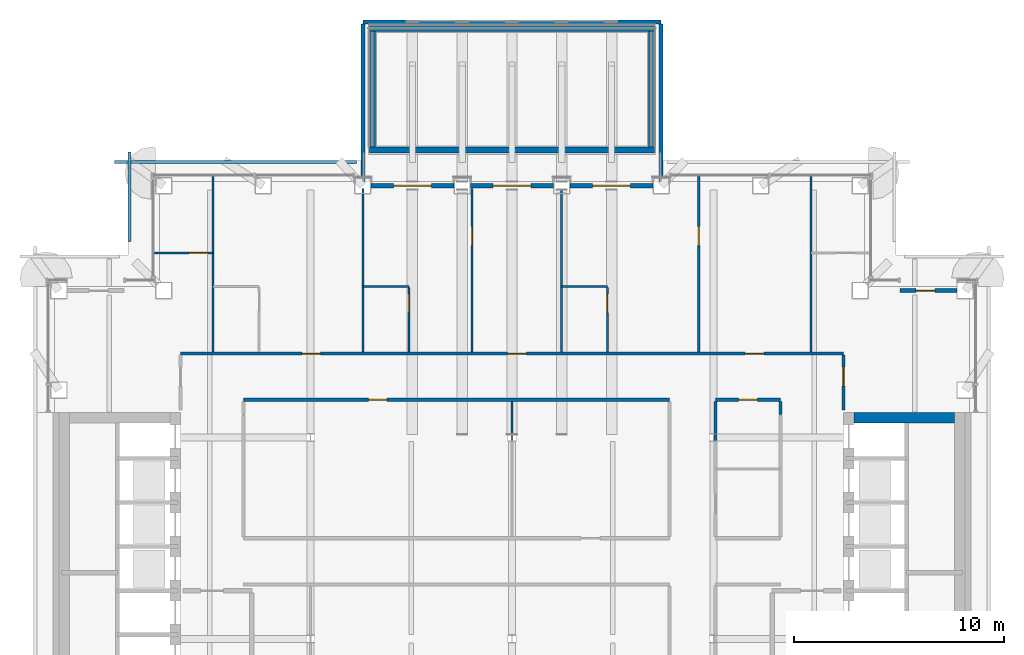
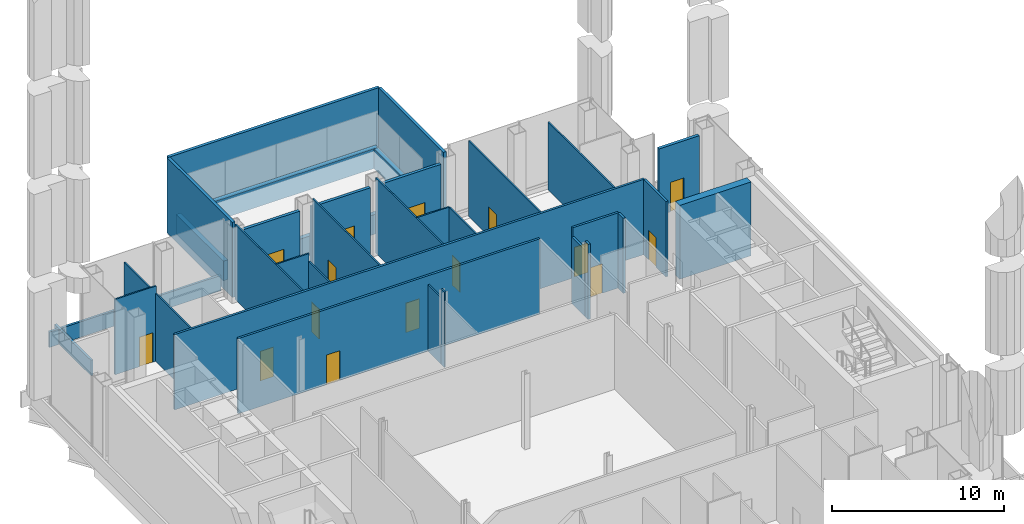
# One storey, part 13 of 22: 34 walls, 15 doors, 15 openings.
"""IFC4 building model written with IfcOpenShell, lengths in metres."""

import ifcopenshell
import ifcopenshell.guid

model = None  # the IFC model being written
_history = None  # IfcOwnerHistory: only IFC2X3 demands one
_inside = {}  # id of a spatial element -> (the spatial element, [elements in it])
_under = {}  # id of a project, library or spatial element -> (it, [spatial elements below it])
_declared = {}  # id of a project -> (the project, [libraries it declares])
_typed = {}  # id of a type object -> (the type object, [elements of that type])
_made_of = {}  # id of a material, layer set ... -> (it, [elements and type objects made of it])


def new_model(schema):
    """Start an empty IFC model of exactly this schema.

    Asked for "IFC4X3", IfcOpenShell would pick the latest addendum, in which some entities
    have other attributes; the version numbers below select the first issue.
    IFC2X3 requires an IfcOwnerHistory on every rooted entity: one is made here for all.
    """
    global model, _history
    if schema == "IFC4X3":
        model = ifcopenshell.file(schema_version=(4, 3, 0, 0))
    else:
        model = ifcopenshell.file(schema=schema)
    _inside.clear()
    _under.clear()
    _declared.clear()
    _typed.clear()
    _made_of.clear()
    _history = None
    if model.schema == "IFC2X3":
        org = make("IfcOrganization", Name="unknown")
        user = make(
            "IfcPersonAndOrganization",
            ThePerson=make("IfcPerson", FamilyName="unknown"),
            TheOrganization=org,
        )
        app = make(
            "IfcApplication",
            ApplicationDeveloper=org,
            Version="unknown",
            ApplicationFullName="unknown",
            ApplicationIdentifier="unknown",
        )
        _history = make(
            "IfcOwnerHistory",
            OwningUser=user,
            OwningApplication=app,
            ChangeAction="ADDED",
            CreationDate=0,
        )
    return model


def make(cls, **values):
    """One entity of the class cls with the attributes given. An attribute that is None is left unset."""
    return model.create_entity(
        cls, **{name: value for name, value in values.items() if value is not None}
    )


def rooted(cls, **values):
    """An entity with a GlobalId (a new one), such as an element, a storey or a relation."""
    return make(cls, GlobalId=ifcopenshell.guid.new(), OwnerHistory=_history, **values)


def si_unit(unit_type, name, prefix=None):
    """IfcSIUnit, for example si_unit("LENGTHUNIT", "METRE", prefix="MILLI")."""
    return make("IfcSIUnit", UnitType=unit_type, Prefix=prefix, Name=name)


def assignment(units):
    """IfcUnitAssignment: the units of a project."""
    return None if units is None else make("IfcUnitAssignment", Units=units)


def point(xyz):
    """IfcCartesianPoint."""
    return None if xyz is None else make("IfcCartesianPoint", Coordinates=xyz)


def direction(xyz):
    """IfcDirection."""
    return None if xyz is None else make("IfcDirection", DirectionRatios=xyz)


def frame(location, z_axis=None, x_axis=None):
    """IfcAxis2Placement3D, a coordinate frame: its origin and axes. An axis left out is left unset."""
    return make(
        "IfcAxis2Placement3D",
        Location=point(location),
        Axis=direction(z_axis),
        RefDirection=direction(x_axis),
    )


def frame_2d(location, x_axis=None):
    """IfcAxis2Placement2D, a coordinate frame in the plane: its origin and x axis."""
    return make(
        "IfcAxis2Placement2D", Location=point(location), RefDirection=direction(x_axis)
    )


def origin():
    """The frame at (0, 0, 0) with its axes left unset."""
    return frame((0.0, 0.0, 0.0))


def place(relative_to, where):
    """IfcLocalPlacement: puts the frame where relative to a parent placement (None: the world)."""
    return make(
        "IfcLocalPlacement", PlacementRelTo=relative_to, RelativePlacement=where
    )


def context(
    kind, dimensions, precision=None, world=None, true_north=None, identifier=None
):
    """IfcGeometricRepresentationContext, for example the 3D "Model" context."""
    return make(
        "IfcGeometricRepresentationContext",
        ContextIdentifier=identifier,
        ContextType=kind,
        CoordinateSpaceDimension=dimensions,
        Precision=precision,
        WorldCoordinateSystem=world,
        TrueNorth=true_north,
    )


def subcontext(parent, identifier, kind, view, scale=None):
    """IfcGeometricRepresentationSubContext, for example "Body" below "Model"."""
    return make(
        "IfcGeometricRepresentationSubContext",
        ContextIdentifier=identifier,
        ContextType=kind,
        ParentContext=parent,
        TargetScale=scale,
        TargetView=view,
    )


def project(units=None, contexts=None):
    """IfcProject with its units and contexts."""
    return rooted(
        "IfcProject",
        Name="project",
        RepresentationContexts=contexts,
        UnitsInContext=assignment(units),
    )


def spatial(cls, under=None, at=None, **own):
    """A site, building, storey or space (cls), placed at a placement, below another one or the project."""
    s = rooted(cls, ObjectPlacement=at, **own)
    if under is not None:
        _under.setdefault(under.id(), (under, []))[1].append(s)
    return s


def profile(cls, at=None, kind="AREA", **sizes):
    """A parametric profile (cls). Its sizes go by their IFC names, for example OverallWidth=200.0."""
    return make(cls, ProfileType=kind, Position=at, **sizes)


def rectangle(**sizes):
    """IfcRectangleProfileDef."""
    return profile("IfcRectangleProfileDef", **sizes)


def extrude(swept, where, along, depth):
    """IfcExtrudedAreaSolid: the profile swept, set in the frame where, extruded along a direction by depth."""
    return make(
        "IfcExtrudedAreaSolid",
        SweptArea=swept,
        Position=where,
        ExtrudedDirection=direction(along),
        Depth=depth,
    )


def shape(context_of_items, identifier, shape_type, items):
    """IfcShapeRepresentation: the items that make up one representation, for example the "Body"."""
    return make(
        "IfcShapeRepresentation",
        ContextOfItems=context_of_items,
        RepresentationIdentifier=identifier,
        RepresentationType=shape_type,
        Items=items,
    )


def material(Name=None, Category=None):
    """IfcMaterial."""
    return make("IfcMaterial", Name=Name, Category=Category)


def layer(
    of_material, thickness, ventilated=None, Name=None, Category=None, Priority=None
):
    """IfcMaterialLayer: one layer of a wall or slab, of a material (None: an air gap)."""
    return make(
        "IfcMaterialLayer",
        Material=of_material,
        LayerThickness=thickness,
        IsVentilated=ventilated,
        Name=Name,
        Category=Category,
        Priority=Priority,
    )


def layer_set(layers, Name=None):
    """IfcMaterialLayerSet."""
    return make("IfcMaterialLayerSet", MaterialLayers=layers, LayerSetName=Name)


def made_of(thing, what):
    """Note that an element or type object is made of a material, layer set ...; save() writes the relation."""
    if what is not None:
        _made_of.setdefault(what.id(), (what, []))[1].append(thing)
    return thing


def type_object(cls, material=None, **own):
    """A type object (cls), such as IfcWallType, which elements share."""
    return made_of(rooted(cls, **own), material)


def element(
    cls,
    number,
    at=None,
    inside=None,
    cuts=None,
    type_object=None,
    material=None,
    context=None,
    identifier="Body",
    shape_type=None,
    held_by="IfcProductDefinitionShape",
    body=None,
    shapes=None,
    **own,
):
    """One element of the class cls, such as IfcWall. Its Tag is "e" and its number.

    at: its placement. inside: the storey or other place that contains it. cuts: it is an
    opening in that element (IfcRelVoidsElement). A single representation is given by context,
    identifier, shape_type and body (its items); several are given by shapes. held_by: the class
    of the entity that holds the representations. save() writes the other relations.
    """
    e = rooted(cls, Tag="e%d" % number, ObjectPlacement=at, **own)
    if body is not None:
        shapes = [shape(context, identifier, shape_type, body)]
    if shapes is not None:
        e.Representation = make(held_by, Representations=shapes)
    if inside is not None:
        _inside.setdefault(inside.id(), (inside, []))[1].append(e)
    if cuts is not None:
        rooted(
            "IfcRelVoidsElement", RelatingBuildingElement=cuts, RelatedOpeningElement=e
        )
    if type_object is not None:
        _typed.setdefault(type_object.id(), (type_object, []))[1].append(e)
    return made_of(e, material)


def fill(opening, filler):
    """IfcRelFillsElement: the door or window that sits in an opening."""
    return rooted(
        "IfcRelFillsElement",
        RelatingOpeningElement=opening,
        RelatedBuildingElement=filler,
    )


def aggregate(whole, parts):
    """IfcRelAggregates: a whole, such as a stair, and the parts it consists of."""
    return rooted("IfcRelAggregates", RelatingObject=whole, RelatedObjects=parts)


def save(model, path):
    """Write the relations noted so far, then the file.

    IfcRelAggregates (storeys below a building ...), IfcRelContainedInSpatialStructure (elements
    in a storey), IfcRelDefinesByType, IfcRelAssociatesMaterial and IfcRelDeclares: one each for
    every whole, place, type object, material and project.
    """
    for whole, parts in _under.values():
        aggregate(whole, parts)
    for where, things in _inside.values():
        rooted(
            "IfcRelContainedInSpatialStructure",
            RelatedElements=things,
            RelatingStructure=where,
        )
    for kind, things in _typed.values():
        rooted("IfcRelDefinesByType", RelatedObjects=things, RelatingType=kind)
    for what, things in _made_of.values():
        rooted("IfcRelAssociatesMaterial", RelatedObjects=things, RelatingMaterial=what)
    for by, libraries in _declared.values():
        rooted("IfcRelDeclares", RelatingContext=by, RelatedDefinitions=libraries)
    model.write(path)


model = new_model("IFC4")

# Units and contexts
model_context = context("Model", 3, precision=1e-05, world=origin(), true_north=direction((0.0, 1.0)))
body_context = subcontext(model_context, "Body", "Model", "MODEL_VIEW")
ifc_project = project(units=[si_unit("LENGTHUNIT", "METRE"), si_unit("AREAUNIT", "SQUARE_METRE"), si_unit("VOLUMEUNIT", "CUBIC_METRE"), si_unit("PLANEANGLEUNIT", "RADIAN"), si_unit("MASSUNIT", "GRAM", prefix="KILO")], contexts=[model_context])

# Site, building, storey
site_placement = place(None, origin())
site = spatial("IfcSite", under=ifc_project, at=site_placement, CompositionType="ELEMENT")
building_placement = place(site_placement, origin())
building = spatial("IfcBuilding", under=site, at=building_placement, Name="Cobrizo Arcos Hotel Tower", CompositionType="ELEMENT")
storey_placement = place(building_placement, frame((0.0, 0.0, 142.5)))
storey = spatial("IfcBuildingStorey", under=building, at=storey_placement, Name="L36", CompositionType="ELEMENT", Elevation=142.5)

# Wall, opening, door
ifc_material_1 = material(Name="Gypsum board partition")
ifc_layer_1 = layer(ifc_material_1, 0.14990234375)
ifc_layer_set_1 = layer_set([ifc_layer_1], Name="Corridor wall EI 60 150")
wall_type_1 = type_object("IfcWallType", Name="Corridor wall EI 60 150", PredefinedType="PARTITIONING", material=ifc_layer_set_1)
wall_1_placement = place(storey_placement, frame((-12.800048828125, 11.39990234375, 0.0), z_axis=(0.0, 0.0, 1.0), x_axis=(1.0, 0.0, 0.0)))
wall_1 = element("IfcWall", 1, at=wall_1_placement, inside=storey, type_object=wall_type_1, Name="Partition 034", PredefinedType="PARTITIONING", context=body_context, shape_type="SweptSolid", body=[
    extrude(rectangle(XDim=20.300048828125, YDim=0.14990234375, at=frame_2d((10.14990234375, 0.0))), origin(), (0.0, 0.0, 1.0), 5.35009765625),
])
opening_1_placement = place(wall_1_placement, frame((5.949951171875, 0.0, 0.0)))
opening_1 = element("IfcOpeningElement", 2, at=opening_1_placement, cuts=wall_1, Name="Opening RD-19", PredefinedType="OPENING", context=body_context, shape_type="SweptSolid", body=[
    extrude(rectangle(XDim=0.89990234375, YDim=2.10009765625, at=frame_2d((0.449951171875, 1.050048828125))), frame((0.0, 0.0869140625, 0.0), z_axis=(0.0, -1.0, 0.0), x_axis=(1.0, 0.0, 0.0)), (0.0, 0.0, 1.0), 0.173828125),
])
ifc_material_2 = material(Name="Timber door leaf", Category="wood")
door_type_1 = type_object("IfcDoorType", Name="Room door FD30 900x2100", OperationType="SINGLE_SWING_LEFT", PredefinedType="DOOR", material=ifc_material_2)
door_1_placement = place(opening_1_placement, origin())
door_1 = element("IfcDoor", 3, at=door_1_placement, inside=storey, type_object=door_type_1, Name="Door RD-19", OperationType="SINGLE_SWING_LEFT", OverallHeight=2.10009765625, OverallWidth=0.89990234375, PredefinedType="DOOR", context=body_context, shape_type="SweptSolid", body=[
    extrude(rectangle(XDim=0.89990234375, YDim=2.10009765625, at=frame_2d((0.449951171875, 1.050048828125))), frame((0.0, 0.02490234375, 0.0), z_axis=(0.0, -1.0, 0.0), x_axis=(1.0, 0.0, 0.0)), (0.0, 0.0, 1.0), 0.050048828125),
])
fill(opening_1, door_1)

wall_2_placement = place(storey_placement, frame((9.699951171875, 11.39990234375, 0.0), z_axis=(0.0, 0.0, 1.0), x_axis=(1.0, 0.0, 0.0)))
wall_2 = element("IfcWall", 4, at=wall_2_placement, inside=storey, type_object=wall_type_1, Name="Partition 035", PredefinedType="PARTITIONING", context=body_context, shape_type="SweptSolid", body=[
    extrude(rectangle(XDim=3.10009765625, YDim=0.14990234375, at=frame_2d((1.550048828125, 0.0))), origin(), (0.0, 0.0, 1.0), 5.35009765625),
])
opening_2_placement = place(wall_2_placement, frame((1.10009765625, 0.0, 0.0)))
opening_2 = element("IfcOpeningElement", 5, at=opening_2_placement, cuts=wall_2, Name="Opening ED-13", PredefinedType="OPENING", context=body_context, shape_type="SweptSolid", body=[
    extrude(rectangle(XDim=0.89990234375, YDim=2.10009765625, at=frame_2d((0.449951171875, 1.050048828125))), frame((0.0, 0.0869140625, 0.0), z_axis=(0.0, -1.0, 0.0), x_axis=(1.0, 0.0, 0.0)), (0.0, 0.0, 1.0), 0.173828125),
])
door_type_2 = type_object("IfcDoorType", Name="En-suite door 900x2100", OperationType="SINGLE_SWING_LEFT", PredefinedType="DOOR", material=ifc_material_2)
door_2_placement = place(opening_2_placement, origin())
door_2 = element("IfcDoor", 6, at=door_2_placement, inside=storey, type_object=door_type_2, Name="Door ED-13", OperationType="SINGLE_SWING_RIGHT", OverallHeight=2.10009765625, OverallWidth=0.89990234375, PredefinedType="DOOR", context=body_context, shape_type="SweptSolid", body=[
    extrude(rectangle(XDim=0.89990234375, YDim=2.10009765625, at=frame_2d((0.449951171875, 1.050048828125))), frame((0.0, 0.02490234375, 0.0), z_axis=(0.0, -1.0, 0.0), x_axis=(1.0, 0.0, 0.0)), (0.0, 0.0, 1.0), 0.050048828125),
])
fill(opening_2, door_2)

# Wall, openings, doors
wall_3_placement = place(storey_placement, frame((-15.800048828125, 13.60009765625, 0.0), z_axis=(0.0, 0.0, 1.0), x_axis=(1.0, 0.0, 0.0)))
wall_3 = element("IfcWall", 7, at=wall_3_placement, inside=storey, type_object=wall_type_1, Name="Partition 036", PredefinedType="PARTITIONING", context=body_context, shape_type="SweptSolid", body=[
    extrude(rectangle(XDim=31.60009765625, YDim=0.14990234375, at=frame_2d((15.800048828125, 0.0))), origin(), (0.0, 0.0, 1.0), 5.35009765625),
])
opening_3_placement = place(wall_3_placement, frame((5.779052734375, 0.0, 0.0)))
opening_3 = element("IfcOpeningElement", 8, at=opening_3_placement, cuts=wall_3, Name="Opening RD-01", PredefinedType="OPENING", context=body_context, shape_type="SweptSolid", body=[
    extrude(rectangle(XDim=0.89990234375, YDim=2.10009765625, at=frame_2d((0.449951171875, 1.050048828125))), frame((0.0, 0.0869140625, 0.0), z_axis=(0.0, -1.0, 0.0), x_axis=(1.0, 0.0, 0.0)), (0.0, 0.0, 1.0), 0.173828125),
])
opening_4_placement = place(wall_3_placement, frame((15.5869140625, 0.0, 0.0)))
opening_4 = element("IfcOpeningElement", 9, at=opening_4_placement, cuts=wall_3, Name="Opening RD-02", PredefinedType="OPENING", context=body_context, shape_type="SweptSolid", body=[
    extrude(rectangle(XDim=0.89990234375, YDim=2.10009765625, at=frame_2d((0.449951171875, 1.050048828125))), frame((0.0, 0.0869140625, 0.0), z_axis=(0.0, -1.0, 0.0), x_axis=(1.0, 0.0, 0.0)), (0.0, 0.0, 1.0), 0.173828125),
])
opening_5_placement = place(wall_3_placement, frame((26.910888671875, 0.0, 0.0)))
opening_5 = element("IfcOpeningElement", 10, at=opening_5_placement, cuts=wall_3, Name="Opening RD-04", PredefinedType="OPENING", context=body_context, shape_type="SweptSolid", body=[
    extrude(rectangle(XDim=0.89990234375, YDim=2.10009765625, at=frame_2d((0.449951171875, 1.050048828125))), frame((0.0, 0.0869140625, 0.0), z_axis=(0.0, -1.0, 0.0), x_axis=(1.0, 0.0, 0.0)), (0.0, 0.0, 1.0), 0.173828125),
])
door_3_placement = place(opening_3_placement, origin())
door_3 = element("IfcDoor", 11, at=door_3_placement, inside=storey, type_object=door_type_1, Name="Door RD-01", OperationType="SINGLE_SWING_RIGHT", OverallHeight=2.10009765625, OverallWidth=0.89990234375, PredefinedType="DOOR", context=body_context, shape_type="SweptSolid", body=[
    extrude(rectangle(XDim=0.89990234375, YDim=2.10009765625, at=frame_2d((0.449951171875, 1.050048828125))), frame((0.0, 0.02490234375, 0.0), z_axis=(0.0, -1.0, 0.0), x_axis=(1.0, 0.0, 0.0)), (0.0, 0.0, 1.0), 0.050048828125),
])
fill(opening_3, door_3)
door_4_placement = place(opening_4_placement, origin())
door_4 = element("IfcDoor", 12, at=door_4_placement, inside=storey, type_object=door_type_1, Name="Door RD-02", OperationType="SINGLE_SWING_LEFT", OverallHeight=2.10009765625, OverallWidth=0.89990234375, PredefinedType="DOOR", context=body_context, shape_type="SweptSolid", body=[
    extrude(rectangle(XDim=0.89990234375, YDim=2.10009765625, at=frame_2d((0.449951171875, 1.050048828125))), frame((0.0, 0.02490234375, 0.0), z_axis=(0.0, -1.0, 0.0), x_axis=(1.0, 0.0, 0.0)), (0.0, 0.0, 1.0), 0.050048828125),
])
fill(opening_4, door_4)
door_5_placement = place(opening_5_placement, origin())
door_5 = element("IfcDoor", 13, at=door_5_placement, inside=storey, type_object=door_type_1, Name="Door RD-04", OperationType="SINGLE_SWING_LEFT", OverallHeight=2.10009765625, OverallWidth=0.89990234375, PredefinedType="DOOR", context=body_context, shape_type="SweptSolid", body=[
    extrude(rectangle(XDim=0.89990234375, YDim=2.10009765625, at=frame_2d((0.449951171875, 1.050048828125))), frame((0.0, 0.02490234375, 0.0), z_axis=(0.0, -1.0, 0.0), x_axis=(1.0, 0.0, 0.0)), (0.0, 0.0, 1.0), 0.050048828125),
])
fill(opening_5, door_5)

# Walls
wall_4_placement = place(storey_placement, frame((9.699951171875, 9.4130859375, 0.0), z_axis=(0.0, 0.0, 1.0), x_axis=(0.0, 1.0, 0.0)))
element("IfcWall", 14, at=wall_4_placement, inside=storey, type_object=wall_type_1, Name="Partition 088", PredefinedType="PARTITIONING", context=body_context, shape_type="SweptSolid", body=[
    extrude(rectangle(XDim=0.3740234375, YDim=0.14990234375, at=frame_2d((0.18701171875, 0.0))), origin(), (0.0, 0.0, 1.0), 5.35009765625),
])
wall_5_placement = place(storey_placement, frame((9.699951171875, 9.787109375, 0.0), z_axis=(0.0, 0.0, 1.0), x_axis=(0.0, 1.0, 0.0)))
element("IfcWall", 15, at=wall_5_placement, inside=storey, type_object=wall_type_1, Name="Partition 089", PredefinedType="PARTITIONING", context=body_context, shape_type="SweptSolid", body=[
    extrude(rectangle(XDim=1.537841796875, YDim=0.14990234375, at=frame_2d((0.76904296875, 0.0))), origin(), (0.0, 0.0, 1.0), 4.72802734375),
])
wall_6_placement = place(storey_placement, frame((12.800048828125, 10.699951171875, 0.0), z_axis=(0.0, 0.0, 1.0), x_axis=(0.0, 1.0, 0.0)))
element("IfcWall", 16, at=wall_6_placement, inside=storey, type_object=wall_type_1, Name="Partition 094", PredefinedType="PARTITIONING", context=body_context, shape_type="SweptSolid", body=[
    extrude(rectangle(XDim=0.625, YDim=0.14990234375, at=frame_2d((0.3125, 0.0))), origin(), (0.0, 0.0, 1.0), 5.35009765625),
])

# Wall, opening, door
wall_7_placement = place(storey_placement, frame((15.800048828125, 10.919921875, 0.0), z_axis=(0.0, 0.0, 1.0), x_axis=(0.0, 1.0, 0.0)))
wall_7 = element("IfcWall", 17, at=wall_7_placement, inside=storey, type_object=wall_type_1, Name="Partition 098", PredefinedType="PARTITIONING", context=body_context, shape_type="SweptSolid", body=[
    extrude(rectangle(XDim=2.60498046875, YDim=0.14990234375, at=frame_2d((1.302490234375, 0.0))), origin(), (0.0, 0.0, 1.0), 5.35009765625),
])
opening_6_placement = place(wall_7_placement, frame((1.1298828125, 0.0, 0.0)))
opening_6 = element("IfcOpeningElement", 18, at=opening_6_placement, cuts=wall_7, Name="Opening RD-15", PredefinedType="OPENING", context=body_context, shape_type="SweptSolid", body=[
    extrude(rectangle(XDim=0.89990234375, YDim=2.10009765625, at=frame_2d((0.449951171875, 1.050048828125))), frame((0.0, 0.0869140625, 0.0), z_axis=(0.0, -1.0, 0.0), x_axis=(1.0, 0.0, 0.0)), (0.0, 0.0, 1.0), 0.173828125),
])
door_6_placement = place(opening_6_placement, origin())
door_6 = element("IfcDoor", 19, at=door_6_placement, inside=storey, type_object=door_type_1, Name="Door RD-15", OperationType="SINGLE_SWING_RIGHT", OverallHeight=2.10009765625, OverallWidth=0.89990234375, PredefinedType="DOOR", context=body_context, shape_type="SweptSolid", body=[
    extrude(rectangle(XDim=0.89990234375, YDim=2.10009765625, at=frame_2d((0.449951171875, 1.050048828125))), frame((0.0, 0.02490234375, 0.0), z_axis=(0.0, -1.0, 0.0), x_axis=(1.0, 0.0, 0.0)), (0.0, 0.0, 1.0), 0.050048828125),
])
fill(opening_6, door_6)

ifc_material_3 = material(Name="Aluminium 6063-T6 anodised bronze", Category="aluminium")
ifc_layer_2 = layer(ifc_material_3, 0.199951171875)
ifc_layer_set_2 = layer_set([ifc_layer_2], Name="EW-3 pool glazing frame wall")
wall_type_2 = type_object("IfcWallType", Name="EW-3 pool glazing frame wall", PredefinedType="SOLIDWALL", material=ifc_layer_set_2)
wall_8_placement = place(storey_placement, frame((-2.77099609375, 21.60009765625, 0.0), z_axis=(0.0, 0.0, 1.0), x_axis=(-1.0, 0.0, 0.0)))
wall_8 = element("IfcWall", 20, at=wall_8_placement, inside=storey, type_object=wall_type_2, Name="Sky pool glazing wall 1", PredefinedType="SOLIDWALL", context=body_context, shape_type="SweptSolid", body=[
    extrude(rectangle(XDim=3.943115234375, YDim=0.199951171875, at=frame_2d((1.9716796875, 0.0))), origin(), (0.0, 0.0, 1.0), 4.742919921875),
])
opening_7_placement = place(wall_8_placement, frame((1.071533203125, 0.0, 0.0)))
opening_7 = element("IfcOpeningElement", 21, at=opening_7_placement, cuts=wall_8, Name="Opening E-14", PredefinedType="OPENING", context=body_context, shape_type="SweptSolid", body=[
    extrude(rectangle(XDim=1.800048828125, YDim=2.39990234375, at=frame_2d((0.89990234375, 1.199951171875))), frame((0.0, 0.112060546875, 0.0), z_axis=(0.0, -1.0, 0.0), x_axis=(1.0, 0.0, 0.0)), (0.0, 0.0, 1.0), 0.223876953125),
])
ifc_material_4 = material(Name="Aluminium 6063-T6 and clear laminated glass", Category="aluminium")
door_type_3 = type_object("IfcDoorType", Name="D-P1 pool terrace door 1800x2400", OperationType="DOUBLE_DOOR_DOUBLE_SWING", PredefinedType="DOOR", material=ifc_material_4)
door_7_placement = place(opening_7_placement, origin())
door_7 = element("IfcDoor", 22, at=door_7_placement, inside=storey, type_object=door_type_3, Name="Sky pool glazing wall 1 door E-14", OperationType="DOUBLE_DOOR_DOUBLE_SWING", OverallHeight=2.39990234375, OverallWidth=1.800048828125, PredefinedType="DOOR", context=body_context, shape_type="SweptSolid", body=[
    extrude(rectangle(XDim=1.800048828125, YDim=2.39990234375, at=frame_2d((0.89990234375, 1.199951171875))), frame((0.0, 0.02490234375, 0.0), z_axis=(0.0, -1.0, 0.0), x_axis=(1.0, 0.0, 0.0)), (0.0, 0.0, 1.0), 0.050048828125),
])
fill(opening_7, door_7)

wall_9_placement = place(storey_placement, frame((1.970947265625, 21.60009765625, 0.0), z_axis=(0.0, 0.0, 1.0), x_axis=(-1.0, 0.0, 0.0)))
wall_9 = element("IfcWall", 23, at=wall_9_placement, inside=storey, type_object=wall_type_2, Name="Sky pool glazing wall 2", PredefinedType="SOLIDWALL", context=body_context, shape_type="SweptSolid", body=[
    extrude(rectangle(XDim=3.94189453125, YDim=0.199951171875, at=frame_2d((1.970947265625, 0.0))), origin(), (0.0, 0.0, 1.0), 4.742919921875),
])
opening_8_placement = place(wall_9_placement, frame((1.071044921875, 0.0, 0.0)))
opening_8 = element("IfcOpeningElement", 24, at=opening_8_placement, cuts=wall_9, Name="Opening E-15", PredefinedType="OPENING", context=body_context, shape_type="SweptSolid", body=[
    extrude(rectangle(XDim=1.800048828125, YDim=2.39990234375, at=frame_2d((0.89990234375, 1.199951171875))), frame((0.0, 0.112060546875, 0.0), z_axis=(0.0, -1.0, 0.0), x_axis=(1.0, 0.0, 0.0)), (0.0, 0.0, 1.0), 0.223876953125),
])
door_8_placement = place(opening_8_placement, origin())
door_8 = element("IfcDoor", 25, at=door_8_placement, inside=storey, type_object=door_type_3, Name="Sky pool glazing wall 2 door E-15", OperationType="DOUBLE_DOOR_DOUBLE_SWING", OverallHeight=2.39990234375, OverallWidth=1.800048828125, PredefinedType="DOOR", context=body_context, shape_type="SweptSolid", body=[
    extrude(rectangle(XDim=1.800048828125, YDim=2.39990234375, at=frame_2d((0.89990234375, 1.199951171875))), frame((0.0, 0.02490234375, 0.0), z_axis=(0.0, -1.0, 0.0), x_axis=(1.0, 0.0, 0.0)), (0.0, 0.0, 1.0), 0.050048828125),
])
fill(opening_8, door_8)

wall_10_placement = place(storey_placement, frame((6.714111328125, 21.60009765625, 0.0), z_axis=(0.0, 0.0, 1.0), x_axis=(-1.0, 0.0, 0.0)))
wall_10 = element("IfcWall", 26, at=wall_10_placement, inside=storey, type_object=wall_type_2, Name="Sky pool glazing wall 3", PredefinedType="SOLIDWALL", context=body_context, shape_type="SweptSolid", body=[
    extrude(rectangle(XDim=3.943115234375, YDim=0.199951171875, at=frame_2d((1.9716796875, 0.0))), origin(), (0.0, 0.0, 1.0), 4.742919921875),
])
opening_9_placement = place(wall_10_placement, frame((1.071533203125, 0.0, 0.0)))
opening_9 = element("IfcOpeningElement", 27, at=opening_9_placement, cuts=wall_10, Name="Opening E-16", PredefinedType="OPENING", context=body_context, shape_type="SweptSolid", body=[
    extrude(rectangle(XDim=1.800048828125, YDim=2.39990234375, at=frame_2d((0.89990234375, 1.199951171875))), frame((0.0, 0.112060546875, 0.0), z_axis=(0.0, -1.0, 0.0), x_axis=(1.0, 0.0, 0.0)), (0.0, 0.0, 1.0), 0.223876953125),
])
door_9_placement = place(opening_9_placement, origin())
door_9 = element("IfcDoor", 28, at=door_9_placement, inside=storey, type_object=door_type_3, Name="Sky pool glazing wall 3 door E-16", OperationType="DOUBLE_DOOR_DOUBLE_SWING", OverallHeight=2.39990234375, OverallWidth=1.800048828125, PredefinedType="DOOR", context=body_context, shape_type="SweptSolid", body=[
    extrude(rectangle(XDim=1.800048828125, YDim=2.39990234375, at=frame_2d((0.89990234375, 1.199951171875))), frame((0.0, 0.02490234375, 0.0), z_axis=(0.0, -1.0, 0.0), x_axis=(1.0, 0.0, 0.0)), (0.0, 0.0, 1.0), 0.050048828125),
])
fill(opening_9, door_9)

ifc_material_5 = material(Name="Aluminium 6063-T6 anodised pale", Category="aluminium")
ifc_layer_3 = layer(ifc_material_5, 0.199951171875)
ifc_layer_set_3 = layer_set([ifc_layer_3], Name="EW-5 terrace door infill wall")
wall_type_3 = type_object("IfcWallType", Name="EW-5 terrace door infill wall", PredefinedType="SOLIDWALL", material=ifc_layer_set_3)
wall_11_placement = place(storey_placement, frame((21.199951171875, 16.60009765625, 0.0), z_axis=(0.0, 0.0, 1.0), x_axis=(-1.0, 0.0, 0.0)))
wall_11 = element("IfcWall", 29, at=wall_11_placement, inside=storey, type_object=wall_type_3, Name="Terrace door infill wall L36 N", PredefinedType="SOLIDWALL", context=body_context, shape_type="SweptSolid", body=[
    extrude(rectangle(XDim=2.699951171875, YDim=0.199951171875, at=frame_2d((1.35009765625, 0.0))), origin(), (0.0, 0.0, 1.0), 4.742919921875),
])
opening_10_placement = place(wall_11_placement, frame((1.050048828125, 0.0, 0.0)))
opening_10 = element("IfcOpeningElement", 30, at=opening_10_placement, cuts=wall_11, Name="Opening E-13", PredefinedType="OPENING", context=body_context, shape_type="SweptSolid", body=[
    extrude(rectangle(XDim=0.89990234375, YDim=2.10009765625, at=frame_2d((0.449951171875, 1.050048828125))), frame((0.0, 0.112060546875, 0.0), z_axis=(0.0, -1.0, 0.0), x_axis=(1.0, 0.0, 0.0)), (0.0, 0.0, 1.0), 0.223876953125),
])
door_type_4 = type_object("IfcDoorType", Name="D-T1 terrace door 900x2100", OperationType="SINGLE_SWING_LEFT", PredefinedType="DOOR", material=ifc_material_4)
door_10_placement = place(opening_10_placement, origin())
door_10 = element("IfcDoor", 31, at=door_10_placement, inside=storey, type_object=door_type_4, Name="Terrace door infill wall L36 N door E-13", OperationType="SINGLE_SWING_LEFT", OverallHeight=2.10009765625, OverallWidth=0.89990234375, PredefinedType="DOOR", context=body_context, shape_type="SweptSolid", body=[
    extrude(rectangle(XDim=0.89990234375, YDim=2.10009765625, at=frame_2d((0.449951171875, 1.050048828125))), frame((0.0, 0.02490234375, 0.0), z_axis=(0.0, -1.0, 0.0), x_axis=(1.0, 0.0, 0.0)), (0.0, 0.0, 1.0), 0.050048828125),
])
fill(opening_10, door_10)

# Walls
ifc_material_6 = material(Name="Aluminium composite panel pale metal", Category="aluminium")
ifc_layer_4 = layer(ifc_material_6, 0.14990234375)
ifc_layer_set_4 = layer_set([ifc_layer_4], Name="PW-3 terrace parapet wall")
wall_type_4 = type_object("IfcWallType", Name="PW-3 terrace parapet wall", PredefinedType="PARAPET", material=ifc_layer_set_4)
wall_12_placement = place(storey_placement, frame((-7.4140625, 22.72509765625, 0.0), z_axis=(0.0, 0.0, 1.0), x_axis=(-1.0, 0.0, 0.0)))
element("IfcWall", 32, at=wall_12_placement, inside=storey, type_object=wall_type_4, Name="Parapet L35 N", PredefinedType="PARAPET", context=body_context, shape_type="SweptSolid", body=[
    extrude(rectangle(XDim=11.535888671875, YDim=0.14990234375, at=frame_2d((5.76806640625, 0.0))), origin(), (0.0, 0.0, 1.0), 1.10009765625),
])
wall_13_placement = place(storey_placement, frame((-18.22509765625, 23.199951171875, 0.0), z_axis=(0.0, 0.0, 1.0), x_axis=(0.0, -1.0, 0.0)))
element("IfcWall", 33, at=wall_13_placement, inside=storey, type_object=wall_type_4, Name="Parapet L35 W", PredefinedType="PARAPET", context=body_context, shape_type="SweptSolid", body=[
    extrude(rectangle(XDim=4.25, YDim=0.14990234375, at=frame_2d((2.125, 0.0))), origin(), (0.0, 0.0, 1.0), 1.10009765625),
])
ifc_layer_5 = layer(ifc_material_1, 0.10009765625)
ifc_layer_set_5 = layer_set([ifc_layer_5], Name="Partition EI 30 100")
wall_type_5 = type_object("IfcWallType", Name="Partition EI 30 100", PredefinedType="PARTITIONING", material=ifc_layer_set_5)
wall_14_placement = place(storey_placement, frame((-7.10009765625, 16.800048828125, 0.0), z_axis=(0.0, 0.0, 1.0), x_axis=(1.0, 0.0, 0.0)))
element("IfcWall", 34, at=wall_14_placement, inside=storey, type_object=wall_type_5, Name="Partition 038", PredefinedType="PARTITIONING", context=body_context, shape_type="SweptSolid", body=[
    extrude(rectangle(XDim=2.2001953125, YDim=0.10009765625, at=frame_2d((1.10009765625, 0.0))), origin(), (0.0, 0.0, 1.0), 5.35009765625),
])
wall_15_placement = place(storey_placement, frame((2.35009765625, 16.800048828125, 0.0), z_axis=(0.0, 0.0, 1.0), x_axis=(1.0, 0.0, 0.0)))
element("IfcWall", 35, at=wall_15_placement, inside=storey, type_object=wall_type_5, Name="Partition 039", PredefinedType="PARTITIONING", context=body_context, shape_type="SweptSolid", body=[
    extrude(rectangle(XDim=2.199951171875, YDim=0.10009765625, at=frame_2d((1.10009765625, 0.0))), origin(), (0.0, 0.0, 1.0), 5.35009765625),
])

# Wall, opening, door
wall_16_placement = place(storey_placement, frame((-17.030029296875, 18.39990234375, 0.0), z_axis=(0.0, 0.0, 1.0), x_axis=(1.0, 0.0, 0.0)))
wall_16 = element("IfcWall", 36, at=wall_16_placement, inside=storey, type_object=wall_type_5, Name="Partition 040", PredefinedType="PARTITIONING", context=body_context, shape_type="SweptSolid", body=[
    extrude(rectangle(XDim=2.780029296875, YDim=0.10009765625, at=frame_2d((1.39013671875, 0.0))), origin(), (0.0, 0.0, 1.0), 5.35009765625),
])
opening_11_placement = place(wall_16_placement, frame((1.639892578125, 0.0, 0.0)))
opening_11 = element("IfcOpeningElement", 37, at=opening_11_placement, cuts=wall_16, Name="Opening ED-09", PredefinedType="OPENING", context=body_context, shape_type="SweptSolid", body=[
    extrude(rectangle(XDim=0.89990234375, YDim=2.10009765625, at=frame_2d((0.449951171875, 1.050048828125))), frame((0.0, 0.06201171875, 0.0), z_axis=(0.0, -1.0, 0.0), x_axis=(1.0, 0.0, 0.0)), (0.0, 0.0, 1.0), 0.1240234375),
])
door_11_placement = place(opening_11_placement, origin())
door_11 = element("IfcDoor", 38, at=door_11_placement, inside=storey, type_object=door_type_2, Name="Door ED-09", OperationType="SINGLE_SWING_RIGHT", OverallHeight=2.10009765625, OverallWidth=0.89990234375, PredefinedType="DOOR", context=body_context, shape_type="SweptSolid", body=[
    extrude(rectangle(XDim=0.89990234375, YDim=2.10009765625, at=frame_2d((0.449951171875, 1.050048828125))), frame((0.0, 0.02490234375, 0.0), z_axis=(0.0, -1.0, 0.0), x_axis=(1.0, 0.0, 0.0)), (0.0, 0.0, 1.0), 0.050048828125),
])
fill(opening_11, door_11)

# Walls
wall_17_placement = place(storey_placement, frame((-14.25, 13.675048828125, 0.0), z_axis=(0.0, 0.0, 1.0), x_axis=(0.0, 1.0, 0.0)))
element("IfcWall", 39, at=wall_17_placement, inside=storey, type_object=wall_type_5, Name="Partition 049", PredefinedType="PARTITIONING", context=body_context, shape_type="SweptSolid", body=[
    extrude(rectangle(XDim=8.35498046875, YDim=0.10009765625, at=frame_2d((4.177490234375, 0.0))), origin(), (0.0, 0.0, 1.0), 4.81689453125),
])
wall_18_placement = place(storey_placement, frame((-7.10009765625, 13.675048828125, 0.0), z_axis=(0.0, 0.0, 1.0), x_axis=(0.0, 1.0, 0.0)))
element("IfcWall", 40, at=wall_18_placement, inside=storey, type_object=wall_type_5, Name="Partition 064", PredefinedType="PARTITIONING", context=body_context, shape_type="SweptSolid", body=[
    extrude(rectangle(XDim=7.804931640625, YDim=0.10009765625, at=frame_2d((3.90234375, 0.0))), origin(), (0.0, 0.0, 1.0), 5.35009765625),
])

# Wall, opening, door
wall_19_placement = place(storey_placement, frame((-4.89990234375, 13.675048828125, 0.0), z_axis=(0.0, 0.0, 1.0), x_axis=(0.0, 1.0, 0.0)))
wall_19 = element("IfcWall", 41, at=wall_19_placement, inside=storey, type_object=wall_type_5, Name="Partition 066", PredefinedType="PARTITIONING", context=body_context, shape_type="SweptSolid", body=[
    extrude(rectangle(XDim=3.074951171875, YDim=0.10009765625, at=frame_2d((1.53759765625, 0.0))), origin(), (0.0, 0.0, 1.0), 4.81689453125),
])
opening_12_placement = place(wall_19_placement, frame((1.875, 0.0, 0.0)))
opening_12 = element("IfcOpeningElement", 42, at=opening_12_placement, cuts=wall_19, Name="Opening ED-02", PredefinedType="OPENING", context=body_context, shape_type="SweptSolid", body=[
    extrude(rectangle(XDim=0.89990234375, YDim=2.10009765625, at=frame_2d((0.449951171875, 1.050048828125))), frame((0.0, 0.06201171875, 0.0), z_axis=(0.0, -1.0, 0.0), x_axis=(1.0, 0.0, 0.0)), (0.0, 0.0, 1.0), 0.1240234375),
])
door_12_placement = place(opening_12_placement, origin())
door_12 = element("IfcDoor", 43, at=door_12_placement, inside=storey, type_object=door_type_2, Name="Door ED-02", OperationType="SINGLE_SWING_RIGHT", OverallHeight=2.10009765625, OverallWidth=0.89990234375, PredefinedType="DOOR", context=body_context, shape_type="SweptSolid", body=[
    extrude(rectangle(XDim=0.89990234375, YDim=2.10009765625, at=frame_2d((0.449951171875, 1.050048828125))), frame((0.0, 0.02490234375, 0.0), z_axis=(0.0, -1.0, 0.0), x_axis=(1.0, 0.0, 0.0)), (0.0, 0.0, 1.0), 0.050048828125),
])
fill(opening_12, door_12)

wall_20_placement = place(storey_placement, frame((-1.89990234375, 13.675048828125, 0.0), z_axis=(0.0, 0.0, 1.0), x_axis=(0.0, 1.0, 0.0)))
wall_20 = element("IfcWall", 44, at=wall_20_placement, inside=storey, type_object=wall_type_5, Name="Partition 068", PredefinedType="PARTITIONING", context=body_context, shape_type="SweptSolid", body=[
    extrude(rectangle(XDim=7.804931640625, YDim=0.10009765625, at=frame_2d((3.90234375, 0.0))), origin(), (0.0, 0.0, 1.0), 5.35009765625),
])
opening_13_placement = place(wall_20_placement, frame((5.074951171875, 0.0, 0.0)))
opening_13 = element("IfcOpeningElement", 45, at=opening_13_placement, cuts=wall_20, Name="Opening RD-03", PredefinedType="OPENING", context=body_context, shape_type="SweptSolid", body=[
    extrude(rectangle(XDim=0.89990234375, YDim=2.10009765625, at=frame_2d((0.449951171875, 1.050048828125))), frame((0.0, 0.06201171875, 0.0), z_axis=(0.0, -1.0, 0.0), x_axis=(1.0, 0.0, 0.0)), (0.0, 0.0, 1.0), 0.1240234375),
])
door_13_placement = place(opening_13_placement, origin())
door_13 = element("IfcDoor", 46, at=door_13_placement, inside=storey, type_object=door_type_1, Name="Door RD-03", OperationType="SINGLE_SWING_LEFT", OverallHeight=2.10009765625, OverallWidth=0.89990234375, PredefinedType="DOOR", context=body_context, shape_type="SweptSolid", body=[
    extrude(rectangle(XDim=0.89990234375, YDim=2.10009765625, at=frame_2d((0.449951171875, 1.050048828125))), frame((0.0, 0.02490234375, 0.0), z_axis=(0.0, -1.0, 0.0), x_axis=(1.0, 0.0, 0.0)), (0.0, 0.0, 1.0), 0.050048828125),
])
fill(opening_13, door_13)

# Walls
wall_21_placement = place(storey_placement, frame((0.0, 9.4130859375, 0.0), z_axis=(0.0, 0.0, 1.0), x_axis=(0.0, 1.0, 0.0)))
element("IfcWall", 47, at=wall_21_placement, inside=storey, type_object=wall_type_5, Name="Partition 071", PredefinedType="PARTITIONING", context=body_context, shape_type="SweptSolid", body=[
    extrude(rectangle(XDim=0.3740234375, YDim=0.10009765625, at=frame_2d((0.18701171875, 0.0))), origin(), (0.0, 0.0, 1.0), 5.35009765625),
])
wall_22_placement = place(storey_placement, frame((0.0, 9.787109375, 0.0), z_axis=(0.0, 0.0, 1.0), x_axis=(0.0, 1.0, 0.0)))
element("IfcWall", 48, at=wall_22_placement, inside=storey, type_object=wall_type_5, Name="Partition 072", PredefinedType="PARTITIONING", context=body_context, shape_type="SweptSolid", body=[
    extrude(rectangle(XDim=1.537841796875, YDim=0.10009765625, at=frame_2d((0.76904296875, 0.0))), origin(), (0.0, 0.0, 1.0), 4.72802734375),
])
wall_23_placement = place(storey_placement, frame((2.35009765625, 13.675048828125, 0.0), z_axis=(0.0, 0.0, 1.0), x_axis=(0.0, 1.0, 0.0)))
element("IfcWall", 49, at=wall_23_placement, inside=storey, type_object=wall_type_5, Name="Partition 073", PredefinedType="PARTITIONING", context=body_context, shape_type="SweptSolid", body=[
    extrude(rectangle(XDim=7.804931640625, YDim=0.10009765625, at=frame_2d((3.90234375, 0.0))), origin(), (0.0, 0.0, 1.0), 5.35009765625),
])

# Wall, opening, door
wall_24_placement = place(storey_placement, frame((4.550048828125, 13.675048828125, 0.0), z_axis=(0.0, 0.0, 1.0), x_axis=(0.0, 1.0, 0.0)))
wall_24 = element("IfcWall", 50, at=wall_24_placement, inside=storey, type_object=wall_type_5, Name="Partition 075", PredefinedType="PARTITIONING", context=body_context, shape_type="SweptSolid", body=[
    extrude(rectangle(XDim=3.074951171875, YDim=0.10009765625, at=frame_2d((1.53759765625, 0.0))), origin(), (0.0, 0.0, 1.0), 5.35009765625),
])
opening_14_placement = place(wall_24_placement, frame((1.875, 0.0, 0.0)))
opening_14 = element("IfcOpeningElement", 51, at=opening_14_placement, cuts=wall_24, Name="Opening ED-03", PredefinedType="OPENING", context=body_context, shape_type="SweptSolid", body=[
    extrude(rectangle(XDim=0.89990234375, YDim=2.10009765625, at=frame_2d((0.449951171875, 1.050048828125))), frame((0.0, 0.06201171875, 0.0), z_axis=(0.0, -1.0, 0.0), x_axis=(1.0, 0.0, 0.0)), (0.0, 0.0, 1.0), 0.1240234375),
])
door_14_placement = place(opening_14_placement, origin())
door_14 = element("IfcDoor", 52, at=door_14_placement, inside=storey, type_object=door_type_2, Name="Door ED-03", OperationType="SINGLE_SWING_RIGHT", OverallHeight=2.10009765625, OverallWidth=0.89990234375, PredefinedType="DOOR", context=body_context, shape_type="SweptSolid", body=[
    extrude(rectangle(XDim=0.89990234375, YDim=2.10009765625, at=frame_2d((0.449951171875, 1.050048828125))), frame((0.0, 0.02490234375, 0.0), z_axis=(0.0, -1.0, 0.0), x_axis=(1.0, 0.0, 0.0)), (0.0, 0.0, 1.0), 0.050048828125),
])
fill(opening_14, door_14)

wall_25_placement = place(storey_placement, frame((8.89990234375, 13.675048828125, 0.0), z_axis=(0.0, 0.0, 1.0), x_axis=(0.0, 1.0, 0.0)))
wall_25 = element("IfcWall", 53, at=wall_25_placement, inside=storey, type_object=wall_type_5, Name="Partition 080", PredefinedType="PARTITIONING", context=body_context, shape_type="SweptSolid", body=[
    extrude(rectangle(XDim=8.35498046875, YDim=0.10009765625, at=frame_2d((4.177490234375, 0.0))), origin(), (0.0, 0.0, 1.0), 5.35009765625),
])
opening_15_placement = place(wall_25_placement, frame((5.074951171875, 0.0, 0.0)))
opening_15 = element("IfcOpeningElement", 54, at=opening_15_placement, cuts=wall_25, Name="Opening RD-05", PredefinedType="OPENING", context=body_context, shape_type="SweptSolid", body=[
    extrude(rectangle(XDim=0.89990234375, YDim=2.10009765625, at=frame_2d((0.449951171875, 1.050048828125))), frame((0.0, 0.06201171875, 0.0), z_axis=(0.0, -1.0, 0.0), x_axis=(1.0, 0.0, 0.0)), (0.0, 0.0, 1.0), 0.1240234375),
])
door_15_placement = place(opening_15_placement, origin())
door_15 = element("IfcDoor", 55, at=door_15_placement, inside=storey, type_object=door_type_1, Name="Door RD-05", OperationType="SINGLE_SWING_RIGHT", OverallHeight=2.10009765625, OverallWidth=0.89990234375, PredefinedType="DOOR", context=body_context, shape_type="SweptSolid", body=[
    extrude(rectangle(XDim=0.89990234375, YDim=2.10009765625, at=frame_2d((0.449951171875, 1.050048828125))), frame((0.0, 0.02490234375, 0.0), z_axis=(0.0, -1.0, 0.0), x_axis=(1.0, 0.0, 0.0)), (0.0, 0.0, 1.0), 0.050048828125),
])
fill(opening_15, door_15)

# Walls
wall_26_placement = place(storey_placement, frame((14.25, 13.675048828125, 0.0), z_axis=(0.0, 0.0, 1.0), x_axis=(0.0, 1.0, 0.0)))
element("IfcWall", 56, at=wall_26_placement, inside=storey, type_object=wall_type_5, Name="Partition 096", PredefinedType="PARTITIONING", context=body_context, shape_type="SweptSolid", body=[
    extrude(rectangle(XDim=8.35498046875, YDim=0.10009765625, at=frame_2d((4.177490234375, 0.0))), origin(), (0.0, 0.0, 1.0), 4.81689453125),
])
ifc_material_7 = material(Name="Concrete f'c 50 MPa", Category="concrete")
ifc_layer_6 = layer(ifc_material_7, 0.5)
ifc_layer_set_6 = layer_set([ifc_layer_6], Name="RC core wall 500 f'c 50")
wall_type_6 = type_object("IfcWallType", Name="RC core wall 500 f'c 50", PredefinedType="SHEAR", material=ifc_layer_set_6)
wall_27_placement = place(storey_placement, frame((16.300048828125, 10.550048828125, 0.0), z_axis=(0.0, 0.0, 1.0), x_axis=(1.0, 0.0, 0.0)))
element("IfcWall", 57, at=wall_27_placement, inside=storey, type_object=wall_type_6, Name="Core wall CW3, east core, north end, L36", PredefinedType="SHEAR", context=body_context, shape_type="SweptSolid", body=[
    extrude(rectangle(XDim=4.800048828125, YDim=0.5, at=frame_2d((2.39990234375, 0.0))), origin(), (0.0, 0.0, 1.0), 5.25),
])
ifc_material_8 = material(Name="Concrete f'c 40 MPa", Category="concrete")
ifc_layer_7 = layer(ifc_material_8, 0.300048828125)
ifc_layer_set_7 = layer_set([ifc_layer_7], Name="RC pool wall 300 f'c 40")
wall_type_7 = type_object("IfcWallType", Name="RC pool wall 300 f'c 40", PredefinedType="SOLIDWALL", material=ifc_layer_set_7)
for number, where, z_axis, x_axis, name in (
    (58, (-6.800048828125, 29.10009765625, 0.0), (0.0, 0.0, 1.0), (1.0, 0.0, 0.0), "Pool wall PW1, north side, L36"),
    (59, (-6.800048828125, 23.300537109375, 0.0), (0.0, 0.0, 1.0), (1.0, 0.0, 0.0), "Pool wall PW1, south side, L36"),
):
    element("IfcWall", number, at=place(storey_placement, frame(where, z_axis=z_axis, x_axis=x_axis)), inside=storey, type_object=wall_type_7, Name=name, PredefinedType="SOLIDWALL", context=body_context, shape_type="SweptSolid", body=[
        extrude(rectangle(XDim=13.60009765625, YDim=0.300048828125, at=frame_2d((6.800048828125, 0.0))), origin(), (0.0, 0.0, 1.0), 1.39990234375),
    ])
for number, where, z_axis, x_axis, name in (
    (60, (-6.64990234375, 23.450439453125, 0.0), (0.0, 0.0, 1.0), (0.0, 1.0, 0.0), "Pool wall PW1, west side, L36"),
    (61, (6.64990234375, 23.450439453125, 0.0), (0.0, 0.0, 1.0), (0.0, 1.0, 0.0), "Pool wall PW1, east side, L36"),
):
    element("IfcWall", number, at=place(storey_placement, frame(where, z_axis=z_axis, x_axis=x_axis)), inside=storey, type_object=wall_type_7, Name=name, PredefinedType="SOLIDWALL", context=body_context, shape_type="SweptSolid", body=[
        extrude(rectangle(XDim=5.49951171875, YDim=0.300048828125, at=frame_2d((2.749755859375, 0.0))), origin(), (0.0, 0.0, 1.0), 1.39990234375),
    ])
ifc_layer_8 = layer(ifc_material_1, 0.199951171875)
ifc_layer_set_8 = layer_set([ifc_layer_8], Name="Shaft wall EI 120 200")
wall_type_8 = type_object("IfcWallType", Name="Shaft wall EI 120 200", PredefinedType="PARTITIONING", material=ifc_layer_set_8)
wall_28_placement = place(storey_placement, frame((-7.10009765625, 29.39990234375, 0.0), z_axis=(0.0, 0.0, 1.0), x_axis=(1.0, 0.0, 0.0)))
element("IfcWall", 62, at=wall_28_placement, inside=storey, type_object=wall_type_8, Name="Partition 042", PredefinedType="PARTITIONING", context=body_context, shape_type="SweptSolid", body=[
    extrude(rectangle(XDim=14.2001953125, YDim=0.199951171875, at=frame_2d((7.10009765625, 0.0))), origin(), (0.0, 0.0, 1.0), 5.35009765625),
])
for number, where, z_axis, x_axis, name in (
    (63, (-7.10009765625, 21.719970703125, 0.0), (0.0, 0.0, 1.0), (0.0, 1.0, 0.0), "Partition 065"),
    (64, (7.10009765625, 21.719970703125, 0.0), (0.0, 0.0, 1.0), (0.0, 1.0, 0.0), "Partition 077"),
):
    element("IfcWall", number, at=place(storey_placement, frame(where, z_axis=z_axis, x_axis=x_axis)), inside=storey, type_object=wall_type_8, Name=name, PredefinedType="PARTITIONING", context=body_context, shape_type="SweptSolid", body=[
        extrude(rectangle(XDim=7.580078125, YDim=0.199951171875, at=frame_2d((3.7900390625, 0.0))), origin(), (0.0, 0.0, 1.0), 5.35009765625),
    ])

save(model, "model.ifc")
